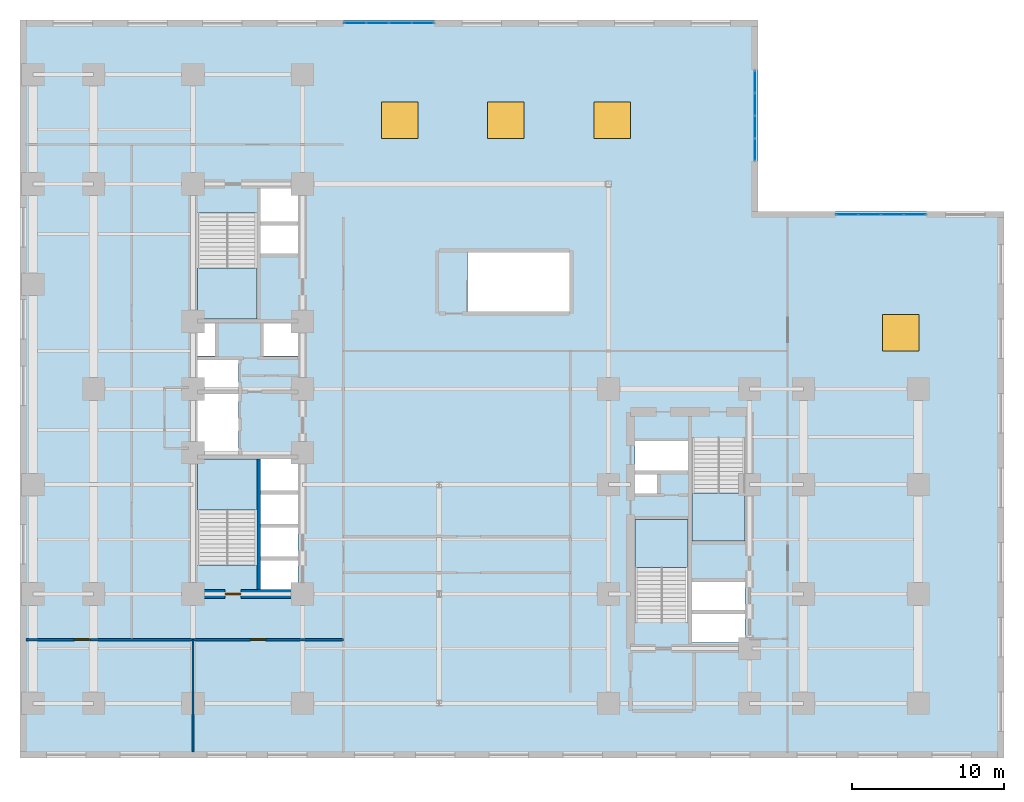
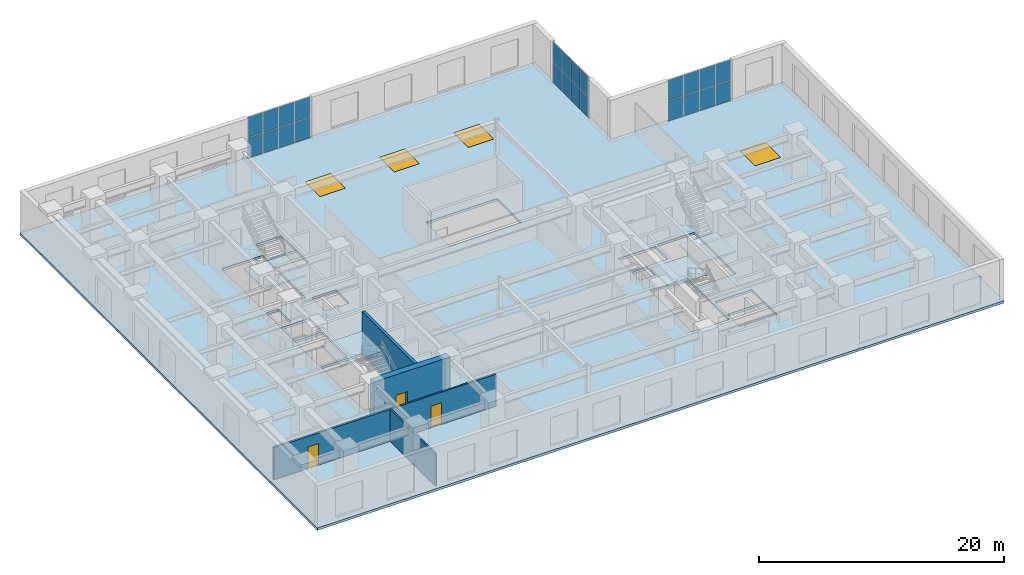
# One storey, part 7 of 14: 24 plates, 5 slabs, 4 walls, 4 windows, 3 doors, 7 openings, 7 elements without a shape of their own.
"""IFC4 building model written with IfcOpenShell, lengths in metres."""

from ifc_helpers import new_model, entity, si_unit, converted_unit, direction, frame, origin_with_axes, origin_2d_with_axis, place, context, subcontext, project, spatial, polyline, rectangle, outline, extrude, material, layer, layer_set, type_object, element, fill, aggregate, save


model = new_model("IFC4")

# Units and contexts
model_context = context("Model", 3, precision=1e-05, world=origin_with_axes(), true_north=direction((0.0, 1.0)))
body_context = subcontext(model_context, "Body", "Model", "MODEL_VIEW")
ifc_project = project(units=[si_unit("LENGTHUNIT", "METRE"), si_unit("AREAUNIT", "SQUARE_METRE"), si_unit("VOLUMEUNIT", "CUBIC_METRE"), converted_unit("PLANEANGLEUNIT", "DEGREE", entity("IfcPlaneAngleMeasure", 0.017453292519943295), si_unit("PLANEANGLEUNIT", "RADIAN"), dimensions=[0, 0, 0, 0, 0, 0, 0]), si_unit("MASSUNIT", "GRAM", prefix="KILO"), si_unit("THERMODYNAMICTEMPERATUREUNIT", "KELVIN")], contexts=[model_context])

# Site, building, storey
site_placement = place(None, origin_with_axes())
site = spatial("IfcSite", under=ifc_project, at=site_placement, CompositionType="ELEMENT")
building_placement = place(site_placement, origin_with_axes())
building = spatial("IfcBuilding", under=site, at=building_placement, Name="Varnlund Millrace Tower", CompositionType="ELEMENT")
storey_placement = place(building_placement, frame((0.0, 0.0, 24.3), z_axis=(0.0, 0.0, 1.0), x_axis=(1.0, 0.0, 0.0)))
storey = spatial("IfcBuildingStorey", under=building, at=storey_placement, Name="L05", CompositionType="ELEMENT", Elevation=24.3)

# Curtain wall, plates
ifc_material_1 = material(Name="Thermally broken architectural bronze curtain wall", Category="aluminium")
curtain_wall_type = type_object("IfcCurtainWallType", Name="Type-CW-Sys4-SkyLobby1", PredefinedType="NOTDEFINED", material=ifc_material_1)
curtain_wall_1_placement = place(storey_placement, frame((53.7, 35.79, 0.0), z_axis=(0.0, 0.0, 1.0), x_axis=(1.0, 0.0, 0.0)))
curtain_wall_1 = element("IfcCurtainWall", 1, at=curtain_wall_1_placement, inside=storey, type_object=curtain_wall_type, Name="Type-CW-Sys4-SkyLobby1", PredefinedType="NOTDEFINED")
ifc_material_2 = material(Name="Low-e argon triple-glazed curtain-wall unit", Category="glass")
ifc_layer_1 = layer(ifc_material_2, 0.028, Name="Low-e argon triple-glazed curtain-wall unit")
ifc_layer_set_1 = layer_set([ifc_layer_1], Name="Low-e argon triple-glazed curtain-wall unit")
plate_type = type_object("IfcPlateType", Name="Type-CW-Panel-TripleGlazed-28", PredefinedType="CURTAIN_PANEL", material=ifc_layer_set_1)
plate_1_placement = place(storey_placement, frame((54.465, 35.79, 0.06), z_axis=(0.0, 0.0, 1.0), x_axis=(1.0, 0.0, 0.0)))
plate_1 = element("IfcPlate", 2, at=plate_1_placement, type_object=plate_type, Name="CW-04 panel 1.1", PredefinedType="CURTAIN_PANEL", context=body_context, shape_type="SweptSolid", body=[
    extrude(rectangle(XDim=1.41, YDim=0.028, at=origin_2d_with_axis()), origin_with_axes(), (0.0, 0.0, 1.0), 2.01),
])
plate_2_placement = place(storey_placement, frame((54.465, 35.79, 2.13), z_axis=(0.0, 0.0, 1.0), x_axis=(1.0, 0.0, 0.0)))
plate_2 = element("IfcPlate", 3, at=plate_2_placement, type_object=plate_type, Name="CW-04 panel 1.2", PredefinedType="CURTAIN_PANEL", context=body_context, shape_type="SweptSolid", body=[
    extrude(rectangle(XDim=1.41, YDim=0.028, at=origin_2d_with_axis()), origin_with_axes(), (0.0, 0.0, 1.0), 2.01),
])
plate_3_placement = place(storey_placement, frame((55.95, 35.79, 0.06), z_axis=(0.0, 0.0, 1.0), x_axis=(1.0, 0.0, 0.0)))
plate_3 = element("IfcPlate", 4, at=plate_3_placement, type_object=plate_type, Name="CW-04 panel 2.1", PredefinedType="CURTAIN_PANEL", context=body_context, shape_type="SweptSolid", body=[
    extrude(rectangle(XDim=1.44, YDim=0.028, at=origin_2d_with_axis()), origin_with_axes(), (0.0, 0.0, 1.0), 2.01),
])
plate_4_placement = place(storey_placement, frame((55.95, 35.79, 2.13), z_axis=(0.0, 0.0, 1.0), x_axis=(1.0, 0.0, 0.0)))
plate_4 = element("IfcPlate", 5, at=plate_4_placement, type_object=plate_type, Name="CW-04 panel 2.2", PredefinedType="CURTAIN_PANEL", context=body_context, shape_type="SweptSolid", body=[
    extrude(rectangle(XDim=1.44, YDim=0.028, at=origin_2d_with_axis()), origin_with_axes(), (0.0, 0.0, 1.0), 2.01),
])
plate_5_placement = place(storey_placement, frame((57.45, 35.79, 0.06), z_axis=(0.0, 0.0, 1.0), x_axis=(1.0, 0.0, 0.0)))
plate_5 = element("IfcPlate", 6, at=plate_5_placement, type_object=plate_type, Name="CW-04 panel 3.1", PredefinedType="CURTAIN_PANEL", context=body_context, shape_type="SweptSolid", body=[
    extrude(rectangle(XDim=1.44, YDim=0.028, at=origin_2d_with_axis()), origin_with_axes(), (0.0, 0.0, 1.0), 2.01),
])
plate_6_placement = place(storey_placement, frame((57.45, 35.79, 2.13), z_axis=(0.0, 0.0, 1.0), x_axis=(1.0, 0.0, 0.0)))
plate_6 = element("IfcPlate", 7, at=plate_6_placement, type_object=plate_type, Name="CW-04 panel 3.2", PredefinedType="CURTAIN_PANEL", context=body_context, shape_type="SweptSolid", body=[
    extrude(rectangle(XDim=1.44, YDim=0.028, at=origin_2d_with_axis()), origin_with_axes(), (0.0, 0.0, 1.0), 2.01),
])
plate_7_placement = place(storey_placement, frame((58.935, 35.79, 0.06), z_axis=(0.0, 0.0, 1.0), x_axis=(1.0, 0.0, 0.0)))
plate_7 = element("IfcPlate", 8, at=plate_7_placement, type_object=plate_type, Name="CW-04 panel 4.1", PredefinedType="CURTAIN_PANEL", context=body_context, shape_type="SweptSolid", body=[
    extrude(rectangle(XDim=1.41, YDim=0.028, at=origin_2d_with_axis()), origin_with_axes(), (0.0, 0.0, 1.0), 2.01),
])
plate_8_placement = place(storey_placement, frame((58.935, 35.79, 2.13), z_axis=(0.0, 0.0, 1.0), x_axis=(1.0, 0.0, 0.0)))
plate_8 = element("IfcPlate", 9, at=plate_8_placement, type_object=plate_type, Name="CW-04 panel 4.2", PredefinedType="CURTAIN_PANEL", context=body_context, shape_type="SweptSolid", body=[
    extrude(rectangle(XDim=1.41, YDim=0.028, at=origin_2d_with_axis()), origin_with_axes(), (0.0, 0.0, 1.0), 2.01),
])
aggregate(curtain_wall_1, [plate_1, plate_2, plate_3, plate_4, plate_5, plate_6, plate_7, plate_8])

curtain_wall_2_placement = place(storey_placement, frame((48.39, 45.3, 0.0), z_axis=(0.0, 0.0, 1.0), x_axis=(1.0, 0.0, 0.0)))
curtain_wall_2 = element("IfcCurtainWall", 10, at=curtain_wall_2_placement, inside=storey, type_object=curtain_wall_type, Name="Type-CW-Sys4-SkyLobby1", PredefinedType="NOTDEFINED")
plate_9_placement = place(storey_placement, frame((48.39, 44.535, 0.06), z_axis=(0.0, 0.0, 1.0), x_axis=(0.0, -1.0, 0.0)))
plate_9 = element("IfcPlate", 11, at=plate_9_placement, type_object=plate_type, Name="CW-04 panel 1.1", PredefinedType="CURTAIN_PANEL", context=body_context, shape_type="SweptSolid", body=[
    extrude(rectangle(XDim=1.41, YDim=0.028, at=origin_2d_with_axis()), origin_with_axes(), (0.0, 0.0, 1.0), 2.01),
])
plate_10_placement = place(storey_placement, frame((48.39, 44.535, 2.13), z_axis=(0.0, 0.0, 1.0), x_axis=(0.0, -1.0, 0.0)))
plate_10 = element("IfcPlate", 12, at=plate_10_placement, type_object=plate_type, Name="CW-04 panel 1.2", PredefinedType="CURTAIN_PANEL", context=body_context, shape_type="SweptSolid", body=[
    extrude(rectangle(XDim=1.41, YDim=0.028, at=origin_2d_with_axis()), origin_with_axes(), (0.0, 0.0, 1.0), 2.01),
])
plate_11_placement = place(storey_placement, frame((48.39, 43.05, 0.06), z_axis=(0.0, 0.0, 1.0), x_axis=(0.0, -1.0, 0.0)))
plate_11 = element("IfcPlate", 13, at=plate_11_placement, type_object=plate_type, Name="CW-04 panel 2.1", PredefinedType="CURTAIN_PANEL", context=body_context, shape_type="SweptSolid", body=[
    extrude(rectangle(XDim=1.44, YDim=0.028, at=origin_2d_with_axis()), origin_with_axes(), (0.0, 0.0, 1.0), 2.01),
])
plate_12_placement = place(storey_placement, frame((48.39, 43.05, 2.13), z_axis=(0.0, 0.0, 1.0), x_axis=(0.0, -1.0, 0.0)))
plate_12 = element("IfcPlate", 14, at=plate_12_placement, type_object=plate_type, Name="CW-04 panel 2.2", PredefinedType="CURTAIN_PANEL", context=body_context, shape_type="SweptSolid", body=[
    extrude(rectangle(XDim=1.44, YDim=0.028, at=origin_2d_with_axis()), origin_with_axes(), (0.0, 0.0, 1.0), 2.01),
])
plate_13_placement = place(storey_placement, frame((48.39, 41.55, 0.06), z_axis=(0.0, 0.0, 1.0), x_axis=(0.0, -1.0, 0.0)))
plate_13 = element("IfcPlate", 15, at=plate_13_placement, type_object=plate_type, Name="CW-04 panel 3.1", PredefinedType="CURTAIN_PANEL", context=body_context, shape_type="SweptSolid", body=[
    extrude(rectangle(XDim=1.44, YDim=0.028, at=origin_2d_with_axis()), origin_with_axes(), (0.0, 0.0, 1.0), 2.01),
])
plate_14_placement = place(storey_placement, frame((48.39, 41.55, 2.13), z_axis=(0.0, 0.0, 1.0), x_axis=(0.0, -1.0, 0.0)))
plate_14 = element("IfcPlate", 16, at=plate_14_placement, type_object=plate_type, Name="CW-04 panel 3.2", PredefinedType="CURTAIN_PANEL", context=body_context, shape_type="SweptSolid", body=[
    extrude(rectangle(XDim=1.44, YDim=0.028, at=origin_2d_with_axis()), origin_with_axes(), (0.0, 0.0, 1.0), 2.01),
])
plate_15_placement = place(storey_placement, frame((48.39, 40.065, 0.06), z_axis=(0.0, 0.0, 1.0), x_axis=(0.0, -1.0, 0.0)))
plate_15 = element("IfcPlate", 17, at=plate_15_placement, type_object=plate_type, Name="CW-04 panel 4.1", PredefinedType="CURTAIN_PANEL", context=body_context, shape_type="SweptSolid", body=[
    extrude(rectangle(XDim=1.41, YDim=0.028, at=origin_2d_with_axis()), origin_with_axes(), (0.0, 0.0, 1.0), 2.01),
])
plate_16_placement = place(storey_placement, frame((48.39, 40.065, 2.13), z_axis=(0.0, 0.0, 1.0), x_axis=(0.0, -1.0, 0.0)))
plate_16 = element("IfcPlate", 18, at=plate_16_placement, type_object=plate_type, Name="CW-04 panel 4.2", PredefinedType="CURTAIN_PANEL", context=body_context, shape_type="SweptSolid", body=[
    extrude(rectangle(XDim=1.41, YDim=0.028, at=origin_2d_with_axis()), origin_with_axes(), (0.0, 0.0, 1.0), 2.01),
])
aggregate(curtain_wall_2, [plate_9, plate_10, plate_11, plate_12, plate_13, plate_14, plate_15, plate_16])

curtain_wall_3_placement = place(storey_placement, frame((21.3, 48.39, 0.0), z_axis=(0.0, 0.0, 1.0), x_axis=(1.0, 0.0, 0.0)))
curtain_wall_3 = element("IfcCurtainWall", 19, at=curtain_wall_3_placement, inside=storey, type_object=curtain_wall_type, Name="Type-CW-Sys4-SkyLobby1", PredefinedType="NOTDEFINED")
plate_17_placement = place(storey_placement, frame((22.065, 48.39, 0.06), z_axis=(0.0, 0.0, 1.0), x_axis=(1.0, 0.0, 0.0)))
plate_17 = element("IfcPlate", 20, at=plate_17_placement, type_object=plate_type, Name="CW-04 panel 1.1", PredefinedType="CURTAIN_PANEL", context=body_context, shape_type="SweptSolid", body=[
    extrude(rectangle(XDim=1.41, YDim=0.028, at=origin_2d_with_axis()), origin_with_axes(), (0.0, 0.0, 1.0), 2.01),
])
plate_18_placement = place(storey_placement, frame((22.065, 48.39, 2.13), z_axis=(0.0, 0.0, 1.0), x_axis=(1.0, 0.0, 0.0)))
plate_18 = element("IfcPlate", 21, at=plate_18_placement, type_object=plate_type, Name="CW-04 panel 1.2", PredefinedType="CURTAIN_PANEL", context=body_context, shape_type="SweptSolid", body=[
    extrude(rectangle(XDim=1.41, YDim=0.028, at=origin_2d_with_axis()), origin_with_axes(), (0.0, 0.0, 1.0), 2.01),
])
plate_19_placement = place(storey_placement, frame((23.55, 48.39, 0.06), z_axis=(0.0, 0.0, 1.0), x_axis=(1.0, 0.0, 0.0)))
plate_19 = element("IfcPlate", 22, at=plate_19_placement, type_object=plate_type, Name="CW-04 panel 2.1", PredefinedType="CURTAIN_PANEL", context=body_context, shape_type="SweptSolid", body=[
    extrude(rectangle(XDim=1.44, YDim=0.028, at=origin_2d_with_axis()), origin_with_axes(), (0.0, 0.0, 1.0), 2.01),
])
plate_20_placement = place(storey_placement, frame((23.55, 48.39, 2.13), z_axis=(0.0, 0.0, 1.0), x_axis=(1.0, 0.0, 0.0)))
plate_20 = element("IfcPlate", 23, at=plate_20_placement, type_object=plate_type, Name="CW-04 panel 2.2", PredefinedType="CURTAIN_PANEL", context=body_context, shape_type="SweptSolid", body=[
    extrude(rectangle(XDim=1.44, YDim=0.028, at=origin_2d_with_axis()), origin_with_axes(), (0.0, 0.0, 1.0), 2.01),
])
plate_21_placement = place(storey_placement, frame((25.05, 48.39, 0.06), z_axis=(0.0, 0.0, 1.0), x_axis=(1.0, 0.0, 0.0)))
plate_21 = element("IfcPlate", 24, at=plate_21_placement, type_object=plate_type, Name="CW-04 panel 3.1", PredefinedType="CURTAIN_PANEL", context=body_context, shape_type="SweptSolid", body=[
    extrude(rectangle(XDim=1.44, YDim=0.028, at=origin_2d_with_axis()), origin_with_axes(), (0.0, 0.0, 1.0), 2.01),
])
plate_22_placement = place(storey_placement, frame((25.05, 48.39, 2.13), z_axis=(0.0, 0.0, 1.0), x_axis=(1.0, 0.0, 0.0)))
plate_22 = element("IfcPlate", 25, at=plate_22_placement, type_object=plate_type, Name="CW-04 panel 3.2", PredefinedType="CURTAIN_PANEL", context=body_context, shape_type="SweptSolid", body=[
    extrude(rectangle(XDim=1.44, YDim=0.028, at=origin_2d_with_axis()), origin_with_axes(), (0.0, 0.0, 1.0), 2.01),
])
plate_23_placement = place(storey_placement, frame((26.535, 48.39, 0.06), z_axis=(0.0, 0.0, 1.0), x_axis=(1.0, 0.0, 0.0)))
plate_23 = element("IfcPlate", 26, at=plate_23_placement, type_object=plate_type, Name="CW-04 panel 4.1", PredefinedType="CURTAIN_PANEL", context=body_context, shape_type="SweptSolid", body=[
    extrude(rectangle(XDim=1.41, YDim=0.028, at=origin_2d_with_axis()), origin_with_axes(), (0.0, 0.0, 1.0), 2.01),
])
plate_24_placement = place(storey_placement, frame((26.535, 48.39, 2.13), z_axis=(0.0, 0.0, 1.0), x_axis=(1.0, 0.0, 0.0)))
plate_24 = element("IfcPlate", 27, at=plate_24_placement, type_object=plate_type, Name="CW-04 panel 4.2", PredefinedType="CURTAIN_PANEL", context=body_context, shape_type="SweptSolid", body=[
    extrude(rectangle(XDim=1.41, YDim=0.028, at=origin_2d_with_axis()), origin_with_axes(), (0.0, 0.0, 1.0), 2.01),
])
aggregate(curtain_wall_3, [plate_17, plate_18, plate_19, plate_20, plate_21, plate_22, plate_23, plate_24])

# Slab, openings, windows
ifc_material_3 = material(Name="Concrete C60/75", Category="concrete")
ifc_layer_2 = layer(ifc_material_3, 0.24, Name="Concrete C60/75")
ifc_layer_set_2 = layer_set([ifc_layer_2], Name="Concrete C60/75")
slab_type_1 = type_object("IfcSlabType", Name="Type-Deck-Plate-Typical-240", PredefinedType="FLOOR", material=ifc_layer_set_2)
slab_1_placement = place(storey_placement, frame((0.0, 0.0, -0.24), z_axis=(0.0, 0.0, 1.0), x_axis=(1.0, 0.0, 0.0)))
slab_1 = element("IfcSlab", 28, at=slab_1_placement, inside=storey, type_object=slab_type_1, Name="Type-Deck-Plate-Typical-240", PredefinedType="FLOOR", context=body_context, shape_type="SweptSolid", body=[
    extrude(outline(polyline([(64.8, 36.0), (48.6, 36.0), (48.6, 48.6), (0.0, 48.6), (0.0, 0.0), (64.8, 0.0), (64.8, 36.0)]), holes=[polyline([(18.3, 11.1), (15.84, 11.1), (15.84, 13.1), (18.3, 13.1), (18.3, 11.1)]), polyline([(18.3, 13.16), (15.84, 13.16), (15.84, 15.24), (18.3, 15.24), (18.3, 13.16)]), polyline([(15.6, 12.715), (11.7, 12.715), (11.7, 19.7), (15.6, 19.7), (15.6, 12.715)]), polyline([(15.84, 15.34), (15.84, 17.46), (18.3, 17.46), (18.3, 15.34), (15.84, 15.34)]), polyline([(15.84, 17.52), (15.84, 19.7), (18.3, 19.7), (18.3, 17.52), (15.84, 17.52)]), polyline([(11.7, 23.98), (14.38, 23.98), (14.38, 19.94), (11.7, 19.94), (11.7, 23.98)]), polyline([(14.38, 24.24), (11.7, 24.24), (11.7, 26.2), (14.38, 26.2), (14.38, 24.24)]), polyline([(11.7, 26.46), (11.7, 28.65), (12.84, 28.65), (12.84, 26.46), (11.7, 26.46)]), polyline([(11.7, 28.9), (11.7, 35.885), (15.6, 35.885), (15.6, 28.9), (11.7, 28.9)]), polyline([(47.75, 7.6), (44.25, 7.6), (44.25, 9.6), (47.75, 9.6), (47.75, 7.6)]), polyline([(47.75, 9.66), (44.25, 9.66), (44.25, 11.68), (47.75, 11.68), (47.75, 9.66)]), polyline([(44.0, 8.915), (40.5, 8.915), (40.5, 15.7), (44.0, 15.7), (44.0, 8.915)]), polyline([(44.25, 14.3), (44.25, 21.085), (47.75, 21.085), (47.75, 14.3), (44.25, 14.3)]), polyline([(40.5, 17.42), (40.5, 18.72), (41.95, 18.72), (41.95, 17.42), (40.5, 17.42)]), polyline([(44.0, 18.88), (40.5, 18.88), (40.5, 20.94), (44.0, 20.94), (44.0, 18.88)]), polyline([(18.3, 26.46), (16.04, 26.46), (16.04, 28.65), (18.3, 28.65), (18.3, 26.46)]), polyline([(36.2, 29.4), (29.465, 29.4), (29.465, 33.3), (36.2, 33.3), (36.2, 29.4)]), polyline([(15.84, 33.12), (15.84, 35.18), (18.3, 35.18), (18.3, 33.12), (15.84, 33.12)]), polyline([(15.84, 35.22), (15.84, 37.5), (18.3, 37.5), (18.3, 35.22), (15.84, 35.22)])]), origin_with_axes(), (0.0, 0.0, 1.0), 0.24),
])
opening_1_placement = place(storey_placement, frame((25.0, 42.0, -0.25), z_axis=(0.0, 0.0, 1.0), x_axis=(1.0, 0.0, 0.0)))
opening_1 = element("IfcOpeningElement", 29, at=opening_1_placement, cuts=slab_1, Name="Opening L05:SK-01", PredefinedType="OPENING", context=body_context, shape_type="SweptSolid", body=[
    extrude(rectangle(XDim=2.4, YDim=2.4, at=origin_2d_with_axis()), origin_with_axes(), (0.0, 0.0, 1.0), 0.26),
])
opening_2_placement = place(storey_placement, frame((32.0, 42.0, -0.25), z_axis=(0.0, 0.0, 1.0), x_axis=(1.0, 0.0, 0.0)))
opening_2 = element("IfcOpeningElement", 30, at=opening_2_placement, cuts=slab_1, Name="Opening L05:SK-02", PredefinedType="OPENING", context=body_context, shape_type="SweptSolid", body=[
    extrude(rectangle(XDim=2.4, YDim=2.4, at=origin_2d_with_axis()), origin_with_axes(), (0.0, 0.0, 1.0), 0.26),
])
opening_3_placement = place(storey_placement, frame((39.0, 42.0, -0.25), z_axis=(0.0, 0.0, 1.0), x_axis=(1.0, 0.0, 0.0)))
opening_3 = element("IfcOpeningElement", 31, at=opening_3_placement, cuts=slab_1, Name="Opening L05:SK-03", PredefinedType="OPENING", context=body_context, shape_type="SweptSolid", body=[
    extrude(rectangle(XDim=2.4, YDim=2.4, at=origin_2d_with_axis()), origin_with_axes(), (0.0, 0.0, 1.0), 0.26),
])
opening_4_placement = place(storey_placement, frame((58.0, 28.0, -0.25), z_axis=(0.0, 0.0, 1.0), x_axis=(1.0, 0.0, 0.0)))
opening_4 = element("IfcOpeningElement", 32, at=opening_4_placement, cuts=slab_1, Name="Opening L05:SK-04", PredefinedType="OPENING", context=body_context, shape_type="SweptSolid", body=[
    extrude(rectangle(XDim=2.4, YDim=2.4, at=origin_2d_with_axis()), origin_with_axes(), (0.0, 0.0, 1.0), 0.26),
])
ifc_material_4 = material(Name="Argon low-e triple glazing in thermally broken bronze frame", Category="glass")
window_type = type_object("IfcWindowType", Name="Type-Skylight-Concourse-2400X2400", PartitioningType="SINGLE_PANEL", PredefinedType="SKYLIGHT", material=ifc_material_4)
window_1_placement = place(storey_placement, frame((25.0, 42.0, -0.05), z_axis=(0.0, 0.0, 1.0), x_axis=(1.0, 0.0, 0.0)))
window_1 = element("IfcWindow", 33, at=window_1_placement, inside=storey, type_object=window_type, Name="Type-Skylight-Concourse-2400X2400", OverallHeight=2.4, OverallWidth=2.4, PredefinedType="SKYLIGHT", context=body_context, shape_type="SweptSolid", body=[
    extrude(rectangle(XDim=2.4, YDim=2.4, at=origin_2d_with_axis()), origin_with_axes(), (0.0, 0.0, 1.0), 0.05),
])
fill(opening_1, window_1)
window_2_placement = place(storey_placement, frame((32.0, 42.0, -0.05), z_axis=(0.0, 0.0, 1.0), x_axis=(1.0, 0.0, 0.0)))
window_2 = element("IfcWindow", 34, at=window_2_placement, inside=storey, type_object=window_type, Name="Type-Skylight-Concourse-2400X2400", OverallHeight=2.4, OverallWidth=2.4, PredefinedType="SKYLIGHT", context=body_context, shape_type="SweptSolid", body=[
    extrude(rectangle(XDim=2.4, YDim=2.4, at=origin_2d_with_axis()), origin_with_axes(), (0.0, 0.0, 1.0), 0.05),
])
fill(opening_2, window_2)
window_3_placement = place(storey_placement, frame((39.0, 42.0, -0.05), z_axis=(0.0, 0.0, 1.0), x_axis=(1.0, 0.0, 0.0)))
window_3 = element("IfcWindow", 35, at=window_3_placement, inside=storey, type_object=window_type, Name="Type-Skylight-Concourse-2400X2400", OverallHeight=2.4, OverallWidth=2.4, PredefinedType="SKYLIGHT", context=body_context, shape_type="SweptSolid", body=[
    extrude(rectangle(XDim=2.4, YDim=2.4, at=origin_2d_with_axis()), origin_with_axes(), (0.0, 0.0, 1.0), 0.05),
])
fill(opening_3, window_3)
window_4_placement = place(storey_placement, frame((58.0, 28.0, -0.05), z_axis=(0.0, 0.0, 1.0), x_axis=(1.0, 0.0, 0.0)))
window_4 = element("IfcWindow", 36, at=window_4_placement, inside=storey, type_object=window_type, Name="Type-Skylight-Concourse-2400X2400", OverallHeight=2.4, OverallWidth=2.4, PredefinedType="SKYLIGHT", context=body_context, shape_type="SweptSolid", body=[
    extrude(rectangle(XDim=2.4, YDim=2.4, at=origin_2d_with_axis()), origin_with_axes(), (0.0, 0.0, 1.0), 0.05),
])
fill(opening_4, window_4)

# Stair, slab
ifc_material_5 = material(Name="Concrete C50/60", Category="concrete")
stair_type_1 = type_object("IfcStairType", Name="Type-Stair-Dogleg-185-450", PredefinedType="HALF_TURN_STAIR", material=ifc_material_5)
stair_1_placement = place(storey_placement, origin_with_axes())
stair_1 = element("IfcStair", 37, at=stair_1_placement, inside=storey, type_object=stair_type_1, Name="Type-Stair-Dogleg-185-450", PredefinedType="HALF_TURN_STAIR")
ifc_layer_3 = layer(ifc_material_5, 0.2, Name="Concrete C50/60")
ifc_layer_set_3 = layer_set([ifc_layer_3], Name="Concrete C50/60")
slab_type_2 = type_object("IfcSlabType", Name="Type-StairLanding-200", PredefinedType="LANDING", material=ifc_layer_set_3)
slab_2_placement = place(storey_placement, frame((0.0, 0.0, 2.05), z_axis=(0.0, 0.0, 1.0), x_axis=(1.0, 0.0, 0.0)))
slab_2 = element("IfcSlab", 38, at=slab_2_placement, type_object=slab_type_2, Name="ST-A1 landing 1", PredefinedType="LANDING", context=body_context, shape_type="SweptSolid", body=[
    extrude(outline(polyline([(15.6, 16.34), (15.6, 19.7), (11.7, 19.7), (11.7, 16.34), (15.6, 16.34)])), origin_with_axes(), (0.0, 0.0, 1.0), 0.2),
])
aggregate(stair_1, [slab_2])

stair_2_placement = place(storey_placement, origin_with_axes())
stair_2 = element("IfcStair", 39, at=stair_2_placement, inside=storey, type_object=stair_type_1, Name="Type-Stair-Dogleg-185-450", PredefinedType="HALF_TURN_STAIR")
slab_3_placement = place(storey_placement, frame((0.0, 0.0, 2.05), z_axis=(0.0, 0.0, 1.0), x_axis=(1.0, 0.0, 0.0)))
slab_3 = element("IfcSlab", 40, at=slab_3_placement, type_object=slab_type_2, Name="ST-A2 landing 1", PredefinedType="LANDING", context=body_context, shape_type="SweptSolid", body=[
    extrude(outline(polyline([(11.7, 32.26), (11.7, 28.9), (15.6, 28.9), (15.6, 32.26), (11.7, 32.26)])), origin_with_axes(), (0.0, 0.0, 1.0), 0.2),
])
aggregate(stair_2, [slab_3])

stair_type_2 = type_object("IfcStairType", Name="Type-Stair-Dogleg-165-450", PredefinedType="HALF_TURN_STAIR", material=ifc_material_5)
stair_3_placement = place(storey_placement, origin_with_axes())
stair_3 = element("IfcStair", 41, at=stair_3_placement, inside=storey, type_object=stair_type_2, Name="Type-Stair-Dogleg-165-450", PredefinedType="HALF_TURN_STAIR")
slab_4_placement = place(storey_placement, frame((0.0, 0.0, 2.05), z_axis=(0.0, 0.0, 1.0), x_axis=(1.0, 0.0, 0.0)))
slab_4 = element("IfcSlab", 42, at=slab_4_placement, type_object=slab_type_2, Name="ST-B1 landing 1", PredefinedType="LANDING", context=body_context, shape_type="SweptSolid", body=[
    extrude(outline(polyline([(44.0, 12.54), (44.0, 15.7), (40.5, 15.7), (40.5, 12.54), (44.0, 12.54)])), origin_with_axes(), (0.0, 0.0, 1.0), 0.2),
])
aggregate(stair_3, [slab_4])

stair_4_placement = place(storey_placement, origin_with_axes())
stair_4 = element("IfcStair", 43, at=stair_4_placement, inside=storey, type_object=stair_type_2, Name="Type-Stair-Dogleg-165-450", PredefinedType="HALF_TURN_STAIR")
slab_5_placement = place(storey_placement, frame((0.0, 0.0, 2.05), z_axis=(0.0, 0.0, 1.0), x_axis=(1.0, 0.0, 0.0)))
slab_5 = element("IfcSlab", 44, at=slab_5_placement, type_object=slab_type_2, Name="ST-B2 landing 1", PredefinedType="LANDING", context=body_context, shape_type="SweptSolid", body=[
    extrude(outline(polyline([(44.25, 17.46), (44.25, 14.3), (47.75, 14.3), (47.75, 17.46), (44.25, 17.46)])), origin_with_axes(), (0.0, 0.0, 1.0), 0.2),
])
aggregate(stair_4, [slab_5])

# Wall, opening, door
ifc_material_6 = material(Name="Concrete C80/95", Category="concrete")
ifc_layer_4 = layer(ifc_material_6, 0.6, Name="Concrete C80/95")
ifc_layer_set_4 = layer_set([ifc_layer_4], Name="Concrete C80/95")
wall_type_1 = type_object("IfcWallType", Name="Type-CoreWall-Shear-600-C80", PredefinedType="SHEAR", material=ifc_layer_set_4)
wall_1_placement = place(storey_placement, frame((11.4, 10.8, 0.0), z_axis=(0.0, 0.0, 1.0), x_axis=(1.0, 0.0, 0.0)))
wall_1 = element("IfcWall", 45, at=wall_1_placement, inside=storey, type_object=wall_type_1, Name="Type-CoreWall-Shear-600-C80", PredefinedType="SHEAR", context=body_context, shape_type="SweptSolid", body=[
    extrude(outline(polyline([(0.0, -0.3), (7.2, -0.3), (7.2, 0.3), (0.0, 0.3), (0.0, -0.3)])), origin_with_axes(), (0.0, 0.0, 1.0), 4.2),
])
opening_5_placement = place(wall_1_placement, frame((2.625, 0.0, 0.0), z_axis=(0.0, 0.0, 1.0), x_axis=(1.0, 0.0, 0.0)))
opening_5 = element("IfcOpeningElement", 46, at=opening_5_placement, cuts=wall_1, Name="Opening L05:DR-STA1", PredefinedType="OPENING", context=body_context, shape_type="SweptSolid", body=[
    extrude(rectangle(XDim=1.05, YDim=0.62, at=origin_2d_with_axis()), origin_with_axes(), (0.0, 0.0, 1.0), 2.15),
])
ifc_material_7 = material(Name="Fire-rated hollow steel door", Category="steel")
door_type_1 = type_object("IfcDoorType", Name="Type-FireDoor-Stair-1050X2150", OperationType="NOTDEFINED", PredefinedType="DOOR", material=ifc_material_7)
door_1_placement = place(wall_1_placement, frame((2.625, 0.0, 0.0), z_axis=(0.0, 0.0, 1.0), x_axis=(1.0, 0.0, 0.0)))
door_1 = element("IfcDoor", 47, at=door_1_placement, inside=storey, type_object=door_type_1, Name="Type-FireDoor-Stair-1050X2150", OperationType="SINGLE_SWING_LEFT", OverallHeight=2.15, OverallWidth=1.05, PredefinedType="DOOR", context=body_context, shape_type="SweptSolid", body=[
    extrude(rectangle(XDim=1.05, YDim=0.09, at=origin_2d_with_axis()), origin_with_axes(), (0.0, 0.0, 1.0), 2.15),
])
fill(opening_5, door_1)

# Wall, openings, doors
ifc_material_8 = material(Name="Fire-rated gypsum board on cold-formed steel framing", Category="steel")
ifc_layer_5 = layer(ifc_material_8, 0.16, Name="Fire-rated gypsum board on cold-formed steel framing")
ifc_layer_set_5 = layer_set([ifc_layer_5], Name="Fire-rated gypsum board on cold-formed steel framing")
wall_type_2 = type_object("IfcWallType", Name="Type-Partition-Corridor-160", PredefinedType="PARTITIONING", material=ifc_layer_set_5)
wall_2_placement = place(storey_placement, frame((0.38, 7.8, 0.0), z_axis=(0.0, 0.0, 1.0), x_axis=(1.0, 0.0, 0.0)))
wall_2 = element("IfcWall", 48, at=wall_2_placement, inside=storey, type_object=wall_type_2, Name="Type-Partition-Corridor-160", PredefinedType="PARTITIONING", context=body_context, shape_type="SweptSolid", body=[
    extrude(outline(polyline([(0.0, -0.08), (20.92, -0.08), (20.92, 0.08), (0.0, 0.08), (0.0, -0.08)])), origin_with_axes(), (0.0, 0.0, 1.0), 3.2),
])
opening_6_placement = place(wall_2_placement, frame((3.7, 0.0, 0.0), z_axis=(0.0, 0.0, 1.0), x_axis=(1.0, 0.0, 0.0)))
opening_6 = element("IfcOpeningElement", 49, at=opening_6_placement, cuts=wall_2, Name="Opening L05:DR-POD-SW1", PredefinedType="OPENING", context=body_context, shape_type="SweptSolid", body=[
    extrude(rectangle(XDim=1.0, YDim=0.18, at=origin_2d_with_axis()), origin_with_axes(), (0.0, 0.0, 1.0), 2.15),
])
opening_7_placement = place(wall_2_placement, frame((15.3, 0.0, 0.0), z_axis=(0.0, 0.0, 1.0), x_axis=(1.0, 0.0, 0.0)))
opening_7 = element("IfcOpeningElement", 50, at=opening_7_placement, cuts=wall_2, Name="Opening L05:DR-POD-SW2", PredefinedType="OPENING", context=body_context, shape_type="SweptSolid", body=[
    extrude(rectangle(XDim=1.0, YDim=0.18, at=origin_2d_with_axis()), origin_with_axes(), (0.0, 0.0, 1.0), 2.15),
])
ifc_material_9 = material(Name="Solid-core white oak and bronze frame door")
door_type_2 = type_object("IfcDoorType", Name="Type-IntDoor-Office-1000X2150", OperationType="NOTDEFINED", PredefinedType="DOOR", material=ifc_material_9)
door_2_placement = place(wall_2_placement, frame((3.7, 0.0, 0.0), z_axis=(0.0, 0.0, 1.0), x_axis=(1.0, 0.0, 0.0)))
door_2 = element("IfcDoor", 51, at=door_2_placement, inside=storey, type_object=door_type_2, Name="Type-IntDoor-Office-1000X2150", OperationType="SINGLE_SWING_LEFT", OverallHeight=2.15, OverallWidth=1.0, PredefinedType="DOOR", context=body_context, shape_type="SweptSolid", body=[
    extrude(rectangle(XDim=1.0, YDim=0.09, at=origin_2d_with_axis()), origin_with_axes(), (0.0, 0.0, 1.0), 2.15),
])
fill(opening_6, door_2)
door_3_placement = place(wall_2_placement, frame((15.3, 0.0, 0.0), z_axis=(0.0, 0.0, 1.0), x_axis=(1.0, 0.0, 0.0)))
door_3 = element("IfcDoor", 52, at=door_3_placement, inside=storey, type_object=door_type_2, Name="Type-IntDoor-Office-1000X2150", OperationType="SINGLE_SWING_RIGHT", OverallHeight=2.15, OverallWidth=1.0, PredefinedType="DOOR", context=body_context, shape_type="SweptSolid", body=[
    extrude(rectangle(XDim=1.0, YDim=0.09, at=origin_2d_with_axis()), origin_with_axes(), (0.0, 0.0, 1.0), 2.15),
])
fill(opening_7, door_3)

# Walls
ifc_material_10 = material(Name="Acoustic STC-50 gypsum board partition", Category="gypsum")
ifc_layer_6 = layer(ifc_material_10, 0.15, Name="Acoustic STC-50 gypsum board partition")
ifc_layer_set_6 = layer_set([ifc_layer_6], Name="Acoustic STC-50 gypsum board partition")
wall_type_3 = type_object("IfcWallType", Name="Type-Partition-Demising-150", PredefinedType="PARTITIONING", material=ifc_layer_set_6)
wall_3_placement = place(storey_placement, frame((11.4, 0.38, 0.0), z_axis=(0.0, 0.0, 1.0), x_axis=(0.0, 1.0, 0.0)))
element("IfcWall", 53, at=wall_3_placement, inside=storey, type_object=wall_type_3, Name="Type-Partition-Demising-150", PredefinedType="PARTITIONING", context=body_context, shape_type="SweptSolid", body=[
    extrude(outline(polyline([(0.0, -0.075), (7.42, -0.075), (7.42, 0.075), (0.0, 0.075), (0.0, -0.075)])), origin_with_axes(), (0.0, 0.0, 1.0), 3.2),
])
ifc_layer_7 = layer(ifc_material_3, 0.25, Name="Concrete C60/75")
ifc_layer_set_7 = layer_set([ifc_layer_7], Name="Concrete C60/75")
wall_type_4 = type_object("IfcWallType", Name="Type-StairWall-Shear-250", PredefinedType="SHEAR", material=ifc_layer_set_7)
wall_4_placement = place(storey_placement, frame((15.725, 11.1, 0.0), z_axis=(0.0, 0.0, 1.0), x_axis=(0.0, 1.0, 0.0)))
element("IfcWall", 54, at=wall_4_placement, inside=storey, type_object=wall_type_4, Name="Type-StairWall-Shear-250", PredefinedType="SHEAR", context=body_context, shape_type="SweptSolid", body=[
    extrude(outline(polyline([(0.0, -0.125), (8.6, -0.125), (8.6, 0.125), (0.0, 0.125), (0.0, -0.125)])), origin_with_axes(), (0.0, 0.0, 1.0), 4.2),
])

save(model, "model.ifc")
